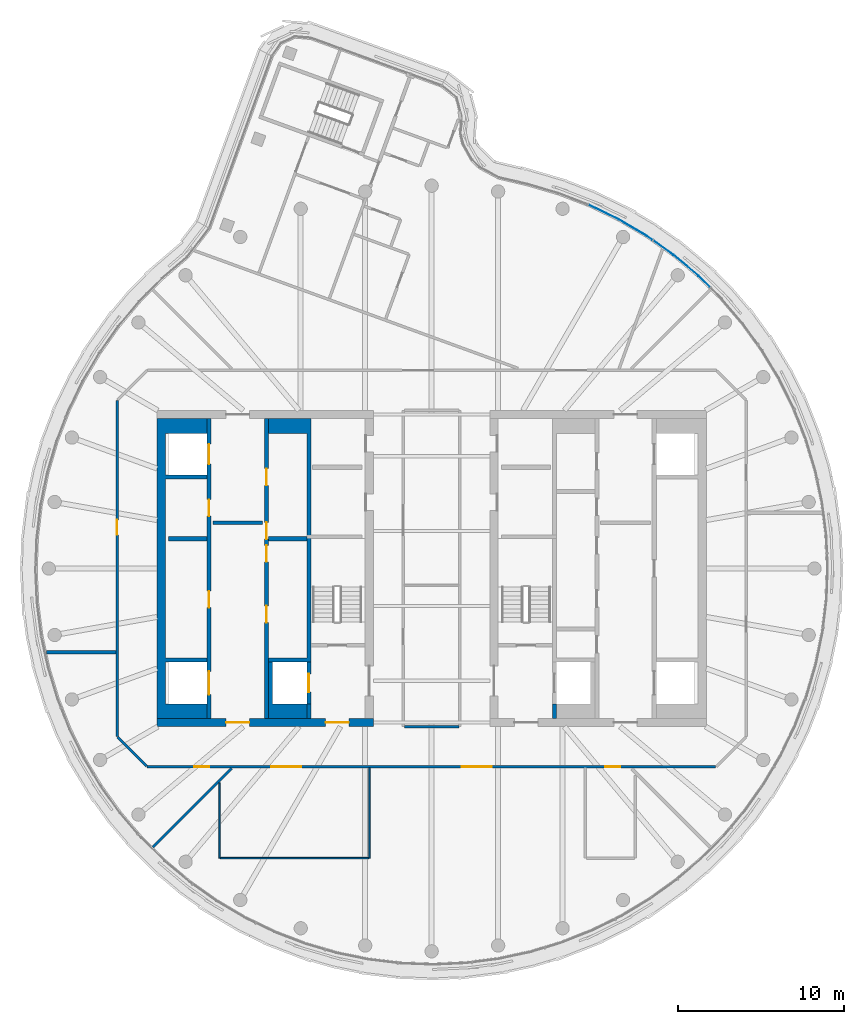
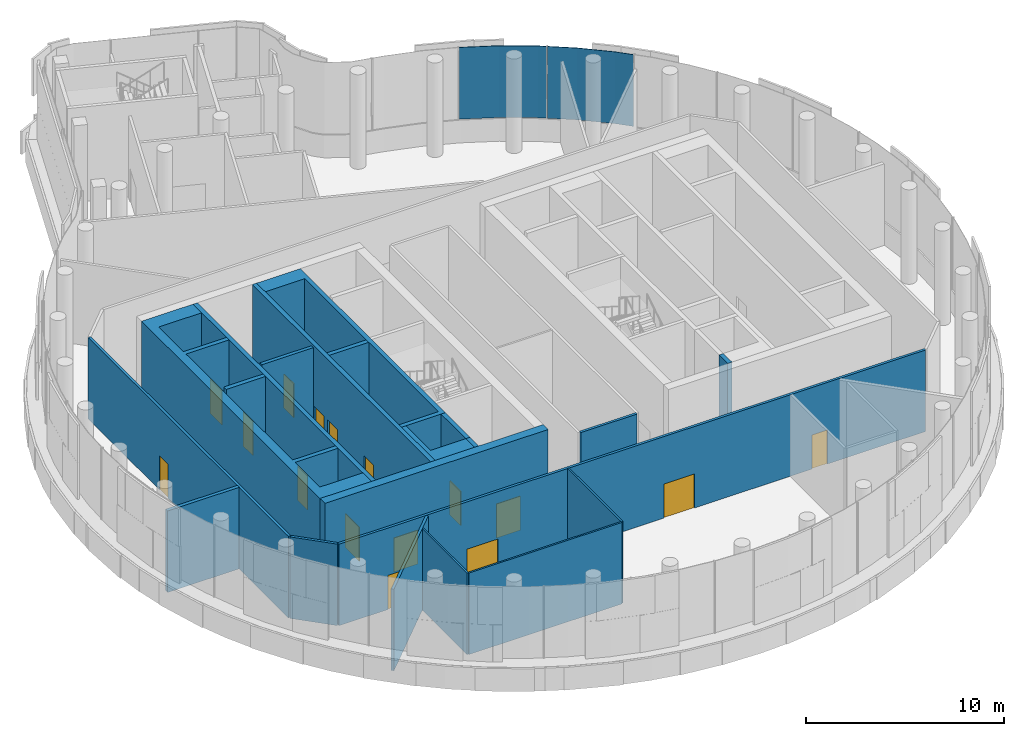
# One storey, part 11 of 18: 21 walls, 16 doors, 2 plates, 16 openings, 1 element without a shape of its own.
"""IFC4 building model written with IfcOpenShell, lengths in metres."""

from ifc_helpers import new_model, si_unit, direction, frame, frame_2d, origin, place, context, subcontext, project, spatial, polyline, rectangle, outline, extrude, material, layer, layer_set, type_object, element, fill, aggregate, save


model = new_model("IFC4")

# Units and contexts
model_context = context("Model", 3, precision=1e-05, world=origin(), true_north=direction((0.0, 1.0)))
body_context = subcontext(model_context, "Body", "Model", "MODEL_VIEW")
ifc_project = project(units=[si_unit("LENGTHUNIT", "METRE"), si_unit("AREAUNIT", "SQUARE_METRE"), si_unit("VOLUMEUNIT", "CUBIC_METRE"), si_unit("PLANEANGLEUNIT", "RADIAN"), si_unit("MASSUNIT", "GRAM", prefix="KILO")], contexts=[model_context])

# Site, building, storey
site_placement = place(None, origin())
site = spatial("IfcSite", under=ifc_project, at=site_placement, CompositionType="ELEMENT")
building_placement = place(site_placement, origin())
building = spatial("IfcBuilding", under=site, at=building_placement, Name="Tamarind Cross Interchange Tower", CompositionType="ELEMENT")
storey_placement = place(building_placement, frame((0.0, 0.0, 299.39990234375)))
storey = spatial("IfcBuildingStorey", under=building, at=storey_placement, Name="L74", CompositionType="ELEMENT", Elevation=299.39990234375)

# Curtain wall, plates
ifc_material_1 = material(Name="Aluminium 6063-T6", Category="aluminium")
ifc_layer_1 = layer(ifc_material_1, 0.14990234375)
ifc_layer_set_1 = layer_set([ifc_layer_1], Name="Aluminium 6063-T6")
curtain_wall_type = type_object("IfcCurtainWallType", Name="Winter garden and crown curtain wall", PredefinedType="NOTDEFINED", material=ifc_layer_set_1)
curtain_wall_placement = place(storey_placement, origin())
curtain_wall = element("IfcCurtainWall", 1, at=curtain_wall_placement, inside=storey, type_object=curtain_wall_type, Name="CWS-L74-02", PredefinedType="NOTDEFINED")
ifc_material_2 = material(Name="Laminated low-e glass 8+1.52+8", Category="glass")
ifc_layer_2 = layer(ifc_material_2, 0.030029296875)
ifc_layer_set_2 = layer_set([ifc_layer_2], Name="Laminated low-e glass 8+1.52+8")
plate_type = type_object("IfcPlateType", Name="Vision panel CW6", PredefinedType="CURTAIN_PANEL", material=ifc_layer_set_2)
plate_1_placement = place(storey_placement, frame((0.0, 0.0, 1.400146484375)))
plate_1 = element("IfcPlate", 2, at=plate_1_placement, type_object=plate_type, Name="CWP-L74-02-26", PredefinedType="CURTAIN_PANEL", context=body_context, shape_type="SweptSolid", body=[
    extrude(outline(polyline([(16.71044921875, 16.8916015625), (16.03076171875, 17.565185546875), (14.525634765625, 18.8291015625), (13.3154296875, 19.685302734375), (13.332763671875, 19.709716796875), (14.5439453125, 18.852783203125), (16.051025390625, 17.58740234375), (16.7314453125, 16.912841796875), (16.71044921875, 16.8916015625)])), origin(), (0.0, 0.0, 1.0), 4.419921875),
])
plate_2_placement = place(storey_placement, frame((0.0, 0.0, 1.400146484375)))
plate_2 = element("IfcPlate", 3, at=plate_2_placement, type_object=plate_type, Name="CWP-L74-02-27", PredefinedType="CURTAIN_PANEL", context=body_context, shape_type="SweptSolid", body=[
    extrude(outline(polyline([(13.2666015625, 19.7197265625), (12.921142578125, 19.96435546875), (11.228271484375, 20.963134765625), (9.458740234375, 21.818603515625), (9.413330078125, 21.836181640625), (9.424072265625, 21.8642578125), (9.470703125, 21.84619140625), (11.242431640625, 20.989501953125), (12.937255859375, 19.989501953125), (13.283935546875, 19.744384765625), (13.2666015625, 19.7197265625)])), origin(), (0.0, 0.0, 1.0), 4.419921875),
])
aggregate(curtain_wall, [plate_1, plate_2])

# Wall, openings, doors
ifc_material_3 = material(Name="Concrete C50", Category="concrete")
ifc_layer_3 = layer(ifc_material_3, 0.5)
ifc_layer_set_3 = layer_set([ifc_layer_3], Name="Concrete C50")
wall_type_1 = type_object("IfcWallType", Name="Core wall 500 mm Concrete C50", PredefinedType="SHEAR", material=ifc_layer_set_3)
wall_1_placement = place(storey_placement, frame((-16.5, -9.25, 0.0), z_axis=(0.0, 0.0, 1.0), x_axis=(1.0, 0.0, 0.0)))
wall_1 = element("IfcWall", 4, at=wall_1_placement, inside=storey, type_object=wall_type_1, Name="Core wall CWL-L74-W-S", PredefinedType="SHEAR", context=body_context, shape_type="SweptSolid", body=[
    extrude(rectangle(XDim=13.0, YDim=0.5, at=frame_2d((6.5, 0.0))), origin(), (0.0, 0.0, 1.0), 5.820068359375),
])
opening_1_placement = place(wall_1_placement, frame((4.14990234375, 0.0, 0.0)))
opening_1 = element("IfcOpeningElement", 5, at=opening_1_placement, cuts=wall_1, Name="Opening DCW1", PredefinedType="OPENING", context=body_context, shape_type="SweptSolid", body=[
    extrude(rectangle(XDim=1.39990234375, YDim=2.10009765625, at=frame_2d((0.699951171875, 1.050048828125))), frame((0.0, 0.260009765625, 0.0), z_axis=(0.0, -1.0, 0.0), x_axis=(1.0, 0.0, 0.0)), (0.0, 0.0, 1.0), 0.52001953125),
])
opening_2_placement = place(wall_1_placement, frame((10.125, 0.0, 0.0)))
opening_2 = element("IfcOpeningElement", 6, at=opening_2_placement, cuts=wall_1, Name="Opening DCWF", PredefinedType="OPENING", context=body_context, shape_type="SweptSolid", body=[
    extrude(rectangle(XDim=1.39990234375, YDim=2.10009765625, at=frame_2d((0.699951171875, 1.050048828125))), frame((0.0, 0.260009765625, 0.0), z_axis=(0.0, -1.0, 0.0), x_axis=(1.0, 0.0, 0.0)), (0.0, 0.0, 1.0), 0.52001953125),
])
ifc_material_4 = material(Name="Steel, fire-resisting", Category="steel")
door_type_1 = type_object("IfcDoorType", Name="Core fire door 1400 x 2100 FD90", OperationType="SINGLE_SWING_LEFT", PredefinedType="DOOR", material=ifc_material_4)
door_1_placement = place(opening_1_placement, origin())
door_1 = element("IfcDoor", 7, at=door_1_placement, inside=storey, type_object=door_type_1, Name="L74 lift lobby door", OperationType="SINGLE_SWING_LEFT", OverallHeight=2.10009765625, OverallWidth=1.39990234375, PredefinedType="DOOR", context=body_context, shape_type="SweptSolid", body=[
    extrude(rectangle(XDim=1.39990234375, YDim=2.10009765625, at=frame_2d((0.699951171875, 1.050048828125))), frame((0.0, 0.02490234375, 0.0), z_axis=(0.0, -1.0, 0.0), x_axis=(1.0, 0.0, 0.0)), (0.0, 0.0, 1.0), 0.050048828125),
])
fill(opening_1, door_1)
door_2_placement = place(opening_2_placement, origin())
door_2 = element("IfcDoor", 8, at=door_2_placement, inside=storey, type_object=door_type_1, Name="L74 firefighting lobby end door", OperationType="SINGLE_SWING_LEFT", OverallHeight=2.10009765625, OverallWidth=1.39990234375, PredefinedType="DOOR", context=body_context, shape_type="SweptSolid", body=[
    extrude(rectangle(XDim=1.39990234375, YDim=2.10009765625, at=frame_2d((0.699951171875, 1.050048828125))), frame((0.0, 0.02490234375, 0.0), z_axis=(0.0, -1.0, 0.0), x_axis=(1.0, 0.0, 0.0)), (0.0, 0.0, 1.0), 0.050048828125),
])
fill(opening_2, door_2)

# Walls
wall_2_placement = place(storey_placement, origin())
element("IfcWall", 9, at=wall_2_placement, inside=storey, type_object=wall_type_1, Name="Core wall CWL-L74-W-A", PredefinedType="SHEAR", context=body_context, shape_type="SweptSolid", body=[
    extrude(outline(polyline([(-13.5, -8.125), (-16.0, -8.125), (-16.0, -5.625), (-13.5, -5.625), (-13.5, -5.375), (-16.0, -5.375), (-16.0, 5.375), (-13.5, 5.375), (-13.5, 5.625), (-16.0, 5.625), (-16.0, 8.125), (-13.5, 8.125), (-13.5, 9.0), (-16.0, 9.0), (-16.5, 9.0), (-16.5, -9.0), (-16.0, -9.0), (-13.5, -9.0), (-13.5, -8.125)])), origin(), (0.0, 0.0, 1.0), 5.820068359375),
])
ifc_layer_4 = layer(ifc_material_3, 0.25)
ifc_layer_set_4 = layer_set([ifc_layer_4], Name="Concrete C50")
wall_type_2 = type_object("IfcWallType", Name="Core web wall 250 mm Concrete C50", PredefinedType="SHEAR", material=ifc_layer_set_4)
wall_3_placement = place(storey_placement, origin())
element("IfcWall", 10, at=wall_3_placement, inside=storey, type_object=wall_type_2, Name="Core wall CWL-L74-W-BN", PredefinedType="SHEAR", context=body_context, shape_type="SweptSolid", body=[
    extrude(outline(polyline([(-9.800048828125, -5.625), (-7.5, -5.625), (-7.25, -5.625), (-7.25, 9.0), (-7.5, 9.0), (-9.800048828125, 9.0), (-9.800048828125, 8.125), (-7.5, 8.125), (-7.5, -5.375), (-9.800048828125, -5.375), (-9.800048828125, -5.625)])), origin(), (0.0, 0.0, 1.0), 5.820068359375),
])
wall_4_placement = place(storey_placement, origin())
element("IfcWall", 11, at=wall_4_placement, inside=storey, type_object=wall_type_2, Name="Core wall CWL-L74-W-BS", PredefinedType="SHEAR", context=body_context, shape_type="SweptSolid", body=[
    extrude(outline(polyline([(-7.5, -8.125), (-9.550048828125, -8.125), (-9.550048828125, -5.625), (-9.800048828125, -5.625), (-9.800048828125, -8.125), (-9.800048828125, -9.0), (-7.5, -9.0), (-7.5, -8.125)])), origin(), (0.0, 0.0, 1.0), 5.820068359375),
])
wall_5_placement = place(storey_placement, frame((-7.375, -9.0, 0.0), z_axis=(0.0, 0.0, 1.0), x_axis=(0.0, 1.0, 0.0)))
element("IfcWall", 12, at=wall_5_placement, inside=storey, type_object=wall_type_2, Name="Core wall CWL-L74-W-BW", PredefinedType="SHEAR", context=body_context, shape_type="SweptSolid", body=[
    extrude(rectangle(XDim=0.875, YDim=0.25, at=frame_2d((0.4375, 0.0))), origin(), (0.0, 0.0, 1.0), 5.820068359375),
])

# Wall, openings, doors
wall_6_placement = place(storey_placement, frame((-13.375, -9.0, 0.0), z_axis=(0.0, 0.0, 1.0), x_axis=(0.0, 1.0, 0.0)))
wall_6 = element("IfcWall", 13, at=wall_6_placement, inside=storey, type_object=wall_type_2, Name="Core wall CWL-L74-W-LA", PredefinedType="SHEAR", context=body_context, shape_type="SweptSolid", body=[
    extrude(rectangle(XDim=18.0, YDim=0.25, at=frame_2d((9.0, 0.0))), origin(), (0.0, 0.0, 1.0), 5.820068359375),
])
opening_3_placement = place(wall_6_placement, frame((1.425048828125, 0.0, 0.0)))
opening_3 = element("IfcOpeningElement", 14, at=opening_3_placement, cuts=wall_6, Name="Opening LD1L74", PredefinedType="OPENING", context=body_context, shape_type="SweptSolid", body=[
    extrude(rectangle(XDim=1.39990234375, YDim=2.10009765625, at=frame_2d((0.699951171875, 1.050048828125))), frame((0.0, 0.135009765625, 0.0), z_axis=(0.0, -1.0, 0.0), x_axis=(1.0, 0.0, 0.0)), (0.0, 0.0, 1.0), 0.27001953125),
])
opening_4_placement = place(wall_6_placement, frame((15.27490234375, 0.0, 0.0)))
opening_4 = element("IfcOpeningElement", 15, at=opening_4_placement, cuts=wall_6, Name="Opening LD6L74", PredefinedType="OPENING", context=body_context, shape_type="SweptSolid", body=[
    extrude(rectangle(XDim=1.199951171875, YDim=2.10009765625, at=frame_2d((0.60009765625, 1.050048828125))), frame((0.0, 0.135009765625, 0.0), z_axis=(0.0, -1.0, 0.0), x_axis=(1.0, 0.0, 0.0)), (0.0, 0.0, 1.0), 0.27001953125),
])
opening_5_placement = place(wall_6_placement, frame((6.64599609375, 0.0, 0.0)))
opening_5 = element("IfcOpeningElement", 16, at=opening_5_placement, cuts=wall_6, Name="Opening DCW9", PredefinedType="OPENING", context=body_context, shape_type="SweptSolid", body=[
    extrude(rectangle(XDim=1.0, YDim=2.10009765625, at=frame_2d((0.5, 1.050048828125))), frame((0.0, 0.135009765625, 0.0), z_axis=(0.0, -1.0, 0.0), x_axis=(1.0, 0.0, 0.0)), (0.0, 0.0, 1.0), 0.27001953125),
])
opening_6_placement = place(wall_6_placement, frame((12.14599609375, 0.0, 0.0)))
opening_6 = element("IfcOpeningElement", 17, at=opening_6_placement, cuts=wall_6, Name="Opening DCW10", PredefinedType="OPENING", context=body_context, shape_type="SweptSolid", body=[
    extrude(rectangle(XDim=1.0, YDim=2.10009765625, at=frame_2d((0.5, 1.050048828125))), frame((0.0, 0.135009765625, 0.0), z_axis=(0.0, -1.0, 0.0), x_axis=(1.0, 0.0, 0.0)), (0.0, 0.0, 1.0), 0.27001953125),
])
door_type_2 = type_object("IfcDoorType", Name="Core fire door 1000 x 2100 FD90", OperationType="SINGLE_SWING_LEFT", PredefinedType="DOOR", material=ifc_material_4)
door_3_placement = place(opening_5_placement, origin())
door_3 = element("IfcDoor", 18, at=door_3_placement, inside=storey, type_object=door_type_2, Name="L74 Cleaner's store door", OperationType="SINGLE_SWING_LEFT", OverallHeight=2.10009765625, OverallWidth=1.0, PredefinedType="DOOR", context=body_context, shape_type="SweptSolid", body=[
    extrude(rectangle(XDim=1.0, YDim=2.10009765625, at=frame_2d((0.5, 1.050048828125))), frame((0.0, 0.02490234375, 0.0), z_axis=(0.0, -1.0, 0.0), x_axis=(1.0, 0.0, 0.0)), (0.0, 0.0, 1.0), 0.050048828125),
])
fill(opening_5, door_3)
door_4_placement = place(opening_6_placement, origin())
door_4 = element("IfcDoor", 19, at=door_4_placement, inside=storey, type_object=door_type_2, Name="L74 Guide's room door", OperationType="SINGLE_SWING_LEFT", OverallHeight=2.10009765625, OverallWidth=1.0, PredefinedType="DOOR", context=body_context, shape_type="SweptSolid", body=[
    extrude(rectangle(XDim=1.0, YDim=2.10009765625, at=frame_2d((0.5, 1.050048828125))), frame((0.0, 0.02490234375, 0.0), z_axis=(0.0, -1.0, 0.0), x_axis=(1.0, 0.0, 0.0)), (0.0, 0.0, 1.0), 0.050048828125),
])
fill(opening_6, door_4)
ifc_material_5 = material(Name="Stainless steel panel", Category="steel")
door_type_3 = type_object("IfcDoorType", Name="Lift landing door 1200 x 2100 E 120", OperationType="SLIDING_TO_LEFT", PredefinedType="DOOR", material=ifc_material_5)
door_5_placement = place(opening_4_placement, origin())
door_5 = element("IfcDoor", 20, at=door_5_placement, inside=storey, type_object=door_type_3, Name="L74 landing door LF6", OperationType="SLIDING_TO_LEFT", OverallHeight=2.10009765625, OverallWidth=1.199951171875, PredefinedType="DOOR", context=body_context, shape_type="SweptSolid", body=[
    extrude(rectangle(XDim=1.199951171875, YDim=2.10009765625, at=frame_2d((0.60009765625, 1.050048828125))), frame((0.0, 0.02490234375, 0.0), z_axis=(0.0, -1.0, 0.0), x_axis=(1.0, 0.0, 0.0)), (0.0, 0.0, 1.0), 0.050048828125),
])
fill(opening_4, door_5)
door_type_4 = type_object("IfcDoorType", Name="Lift landing door 1400 x 2100 E 120", OperationType="SLIDING_TO_LEFT", PredefinedType="DOOR", material=ifc_material_5)
door_6_placement = place(opening_3_placement, origin())
door_6 = element("IfcDoor", 21, at=door_6_placement, inside=storey, type_object=door_type_4, Name="L74 landing door LF1", OperationType="SLIDING_TO_LEFT", OverallHeight=2.10009765625, OverallWidth=1.39990234375, PredefinedType="DOOR", context=body_context, shape_type="SweptSolid", body=[
    extrude(rectangle(XDim=1.39990234375, YDim=2.10009765625, at=frame_2d((0.699951171875, 1.050048828125))), frame((0.0, 0.02490234375, 0.0), z_axis=(0.0, -1.0, 0.0), x_axis=(1.0, 0.0, 0.0)), (0.0, 0.0, 1.0), 0.050048828125),
])
fill(opening_3, door_6)

wall_7_placement = place(storey_placement, frame((-9.925048828125, -9.0, 0.0), z_axis=(0.0, 0.0, 1.0), x_axis=(0.0, 1.0, 0.0)))
wall_7 = element("IfcWall", 22, at=wall_7_placement, inside=storey, type_object=wall_type_2, Name="Core wall CWL-L74-W-LB", PredefinedType="SHEAR", context=body_context, shape_type="SweptSolid", body=[
    extrude(rectangle(XDim=18.0, YDim=0.25, at=frame_2d((9.0, 0.0))), origin(), (0.0, 0.0, 1.0), 5.820068359375),
])
opening_7_placement = place(wall_7_placement, frame((5.75, 0.0, 0.0)))
opening_7 = element("IfcOpeningElement", 23, at=opening_7_placement, cuts=wall_7, Name="Opening DCW21", PredefinedType="OPENING", context=body_context, shape_type="SweptSolid", body=[
    extrude(rectangle(XDim=1.0, YDim=2.10009765625, at=frame_2d((0.5, 1.050048828125))), frame((0.0, 0.135009765625, 0.0), z_axis=(0.0, -1.0, 0.0), x_axis=(1.0, 0.0, 0.0)), (0.0, 0.0, 1.0), 0.27001953125),
])
opening_8_placement = place(wall_7_placement, frame((9.39599609375, 0.0, 0.0)))
opening_8 = element("IfcOpeningElement", 24, at=opening_8_placement, cuts=wall_7, Name="Opening DCW21", PredefinedType="OPENING", context=body_context, shape_type="SweptSolid", body=[
    extrude(rectangle(XDim=1.0, YDim=2.10009765625, at=frame_2d((0.5, 1.050048828125))), frame((0.0, 0.135009765625, 0.0), z_axis=(0.0, -1.0, 0.0), x_axis=(1.0, 0.0, 0.0)), (0.0, 0.0, 1.0), 0.27001953125),
])
opening_9_placement = place(wall_7_placement, frame((10.77099609375, 0.0, 0.0)))
opening_9 = element("IfcOpeningElement", 25, at=opening_9_placement, cuts=wall_7, Name="Opening DCW22", PredefinedType="OPENING", context=body_context, shape_type="SweptSolid", body=[
    extrude(rectangle(XDim=1.0, YDim=2.10009765625, at=frame_2d((0.5, 1.050048828125))), frame((0.0, 0.135009765625, 0.0), z_axis=(0.0, -1.0, 0.0), x_axis=(1.0, 0.0, 0.0)), (0.0, 0.0, 1.0), 0.27001953125),
])
opening_10_placement = place(wall_7_placement, frame((14.0, 0.0, 0.0)))
opening_10 = element("IfcOpeningElement", 26, at=opening_10_placement, cuts=wall_7, Name="Opening DCW21", PredefinedType="OPENING", context=body_context, shape_type="SweptSolid", body=[
    extrude(rectangle(XDim=1.0, YDim=2.10009765625, at=frame_2d((0.5, 1.050048828125))), frame((0.0, 0.135009765625, 0.0), z_axis=(0.0, -1.0, 0.0), x_axis=(1.0, 0.0, 0.0)), (0.0, 0.0, 1.0), 0.27001953125),
])
door_7_placement = place(opening_7_placement, origin())
door_7 = element("IfcDoor", 27, at=door_7_placement, inside=storey, type_object=door_type_2, Name="L74 Guide's room door", OperationType="SINGLE_SWING_LEFT", OverallHeight=2.10009765625, OverallWidth=1.0, PredefinedType="DOOR", context=body_context, shape_type="SweptSolid", body=[
    extrude(rectangle(XDim=1.0, YDim=2.10009765625, at=frame_2d((0.5, 1.050048828125))), frame((0.0, 0.02490234375, 0.0), z_axis=(0.0, -1.0, 0.0), x_axis=(1.0, 0.0, 0.0)), (0.0, 0.0, 1.0), 0.050048828125),
])
fill(opening_7, door_7)
door_8_placement = place(opening_8_placement, origin())
door_8 = element("IfcDoor", 28, at=door_8_placement, inside=storey, type_object=door_type_2, Name="L74 Catering store door", OperationType="SINGLE_SWING_LEFT", OverallHeight=2.10009765625, OverallWidth=1.0, PredefinedType="DOOR", context=body_context, shape_type="SweptSolid", body=[
    extrude(rectangle(XDim=1.0, YDim=2.10009765625, at=frame_2d((0.5, 1.050048828125))), frame((0.0, 0.02490234375, 0.0), z_axis=(0.0, -1.0, 0.0), x_axis=(1.0, 0.0, 0.0)), (0.0, 0.0, 1.0), 0.050048828125),
])
fill(opening_8, door_8)
door_9_placement = place(opening_9_placement, origin())
door_9 = element("IfcDoor", 29, at=door_9_placement, inside=storey, type_object=door_type_2, Name="L74 Cleaner's store door", OperationType="SINGLE_SWING_LEFT", OverallHeight=2.10009765625, OverallWidth=1.0, PredefinedType="DOOR", context=body_context, shape_type="SweptSolid", body=[
    extrude(rectangle(XDim=1.0, YDim=2.10009765625, at=frame_2d((0.5, 1.050048828125))), frame((0.0, 0.02490234375, 0.0), z_axis=(0.0, -1.0, 0.0), x_axis=(1.0, 0.0, 0.0)), (0.0, 0.0, 1.0), 0.050048828125),
])
fill(opening_9, door_9)
door_10_placement = place(opening_10_placement, origin())
door_10 = element("IfcDoor", 30, at=door_10_placement, inside=storey, type_object=door_type_2, Name="L74 First aid room door", OperationType="SINGLE_SWING_LEFT", OverallHeight=2.10009765625, OverallWidth=1.0, PredefinedType="DOOR", context=body_context, shape_type="SweptSolid", body=[
    extrude(rectangle(XDim=1.0, YDim=2.10009765625, at=frame_2d((0.5, 1.050048828125))), frame((0.0, 0.02490234375, 0.0), z_axis=(0.0, -1.0, 0.0), x_axis=(1.0, 0.0, 0.0)), (0.0, 0.0, 1.0), 0.050048828125),
])
fill(opening_10, door_10)

# Wall, opening, door
wall_8_placement = place(storey_placement, frame((-7.375, -8.125, 0.0), z_axis=(0.0, 0.0, 1.0), x_axis=(0.0, 1.0, 0.0)))
wall_8 = element("IfcWall", 31, at=wall_8_placement, inside=storey, type_object=wall_type_2, Name="Core wall CWL-L74-W-FF", PredefinedType="SHEAR", context=body_context, shape_type="SweptSolid", body=[
    extrude(rectangle(XDim=2.5, YDim=0.25, at=frame_2d((1.25, 0.0))), origin(), (0.0, 0.0, 1.0), 5.820068359375),
])
opening_11_placement = place(wall_8_placement, frame((0.699951171875, 0.0, 0.0)))
opening_11 = element("IfcOpeningElement", 32, at=opening_11_placement, cuts=wall_8, Name="Opening LD7L74", PredefinedType="OPENING", context=body_context, shape_type="SweptSolid", body=[
    extrude(rectangle(XDim=1.10009765625, YDim=2.10009765625, at=frame_2d((0.550048828125, 1.050048828125))), frame((0.0, 0.135009765625, 0.0), z_axis=(0.0, -1.0, 0.0), x_axis=(1.0, 0.0, 0.0)), (0.0, 0.0, 1.0), 0.27001953125),
])
door_type_5 = type_object("IfcDoorType", Name="Lift landing door 1100 x 2100 E 120", OperationType="SLIDING_TO_LEFT", PredefinedType="DOOR", material=ifc_material_5)
door_11_placement = place(opening_11_placement, origin())
door_11 = element("IfcDoor", 33, at=door_11_placement, inside=storey, type_object=door_type_5, Name="L74 landing door LF7", OperationType="SLIDING_TO_LEFT", OverallHeight=2.10009765625, OverallWidth=1.10009765625, PredefinedType="DOOR", context=body_context, shape_type="SweptSolid", body=[
    extrude(rectangle(XDim=1.10009765625, YDim=2.10009765625, at=frame_2d((0.550048828125, 1.050048828125))), frame((0.0, 0.02490234375, 0.0), z_axis=(0.0, -1.0, 0.0), x_axis=(1.0, 0.0, 0.0)), (0.0, 0.0, 1.0), 0.050048828125),
])
fill(opening_11, door_11)

# Walls
wall_9_placement = place(storey_placement, frame((7.375, -9.0, 0.0), z_axis=(0.0, 0.0, 1.0), x_axis=(0.0, 1.0, 0.0)))
element("IfcWall", 34, at=wall_9_placement, inside=storey, type_object=wall_type_2, Name="Core wall CWL-L74-E-BW", PredefinedType="SHEAR", context=body_context, shape_type="SweptSolid", body=[
    extrude(rectangle(XDim=0.875, YDim=0.25, at=frame_2d((0.4375, 0.0))), origin(), (0.0, 0.0, 1.0), 5.820068359375),
])
ifc_material_6 = material(Name="Gypsum board partition on steel studs", Category="steel")
ifc_layer_5 = layer(ifc_material_6, 0.10009765625)
ifc_layer_set_5 = layer_set([ifc_layer_5], Name="Gypsum board partition on steel studs")
wall_type_3 = type_object("IfcWallType", Name="Partition 100 mm EI 90", PredefinedType="PARTITIONING", material=ifc_layer_set_5)
wall_10_placement = place(storey_placement, frame((-12.7060546875, -17.39990234375, 0.0), z_axis=(0.0, 0.0, 1.0), x_axis=(1.0, 0.0, 0.0)))
element("IfcWall", 35, at=wall_10_placement, inside=storey, type_object=wall_type_3, Name="Partition L74-015", PredefinedType="PARTITIONING", context=body_context, shape_type="SweptSolid", body=[
    extrude(rectangle(XDim=8.93017578125, YDim=0.10009765625, at=frame_2d((4.465087890625, 0.0))), origin(), (0.0, 0.0, 1.0), 5.02001953125),
])
wall_11_placement = place(storey_placement, frame((-12.740966796875, -17.39990234375, 0.0), z_axis=(0.0, 0.0, 1.0), x_axis=(0.0, 1.0, 0.0)))
element("IfcWall", 36, at=wall_11_placement, inside=storey, type_object=wall_type_3, Name="Partition L74-035", PredefinedType="PARTITIONING", context=body_context, shape_type="SweptSolid", body=[
    extrude(rectangle(XDim=4.518798828125, YDim=0.10009765625, at=frame_2d((2.25927734375, 0.0))), origin(), (0.0, 0.0, 1.0), 5.02001953125),
])
wall_12_placement = place(storey_placement, frame((-3.740966796875, -17.39990234375, 0.0), z_axis=(0.0, 0.0, 1.0), x_axis=(0.0, 1.0, 0.0)))
element("IfcWall", 37, at=wall_12_placement, inside=storey, type_object=wall_type_3, Name="Partition L74-036", PredefinedType="PARTITIONING", context=body_context, shape_type="SweptSolid", body=[
    extrude(rectangle(XDim=5.44482421875, YDim=0.10009765625, at=frame_2d((2.722412109375, 0.0))), origin(), (0.0, 0.0, 1.0), 5.02001953125),
])
ifc_layer_6 = layer(ifc_material_6, 0.14990234375)
ifc_layer_set_6 = layer_set([ifc_layer_6], Name="Gypsum board partition on steel studs")
wall_type_4 = type_object("IfcWallType", Name="Partition 150 mm EI 120", PredefinedType="PARTITIONING", material=ifc_layer_set_6)
wall_13_placement = place(storey_placement, frame((-18.87158203125, -10.12841796875, 0.0), z_axis=(0.0, 0.0, 1.0), x_axis=(0.707106781187, -0.707106781187, 0.0)))
element("IfcWall", 38, at=wall_13_placement, inside=storey, type_object=wall_type_4, Name="Partition L74-001", PredefinedType="PARTITIONING", context=body_context, shape_type="SweptSolid", body=[
    extrude(rectangle(XDim=2.465087890625, YDim=0.14990234375, at=frame_2d((1.232421875, 0.0))), origin(), (0.0, 0.0, 1.0), 5.02001953125),
])

# Wall, openings, doors
wall_14_placement = place(storey_placement, frame((-17.10009765625, -11.89990234375, 0.0), z_axis=(0.0, 0.0, 1.0), x_axis=(1.0, 0.0, 0.0)))
wall_14 = element("IfcWall", 39, at=wall_14_placement, inside=storey, type_object=wall_type_4, Name="Partition L74-013", PredefinedType="PARTITIONING", context=body_context, shape_type="SweptSolid", body=[
    extrude(rectangle(XDim=34.1650390625, YDim=0.14990234375, at=frame_2d((17.08251953125, 0.0))), origin(), (0.0, 0.0, 1.0), 5.02001953125),
])
opening_12_placement = place(wall_14_placement, frame((7.449951171875, 0.0, 0.0)))
opening_12 = element("IfcOpeningElement", 40, at=opening_12_placement, cuts=wall_14, Name="Opening D04", PredefinedType="OPENING", context=body_context, shape_type="SweptSolid", body=[
    extrude(rectangle(XDim=1.800048828125, YDim=2.10009765625, at=frame_2d((0.89990234375, 1.050048828125))), frame((0.0, 0.0849609375, 0.0), z_axis=(0.0, -1.0, 0.0), x_axis=(1.0, 0.0, 0.0)), (0.0, 0.0, 1.0), 0.169921875),
])
opening_13_placement = place(wall_14_placement, frame((27.541015625, 0.0, 0.0)))
opening_13 = element("IfcOpeningElement", 41, at=opening_13_placement, cuts=wall_14, Name="Opening D05", PredefinedType="OPENING", context=body_context, shape_type="SweptSolid", body=[
    extrude(rectangle(XDim=0.89990234375, YDim=2.10009765625, at=frame_2d((0.449951171875, 1.050048828125))), frame((0.0, 0.0849609375, 0.0), z_axis=(0.0, -1.0, 0.0), x_axis=(1.0, 0.0, 0.0)), (0.0, 0.0, 1.0), 0.169921875),
])
opening_14_placement = place(wall_14_placement, frame((18.908935546875, 0.0, 0.0)))
opening_14 = element("IfcOpeningElement", 42, at=opening_14_placement, cuts=wall_14, Name="Opening D06", PredefinedType="OPENING", context=body_context, shape_type="SweptSolid", body=[
    extrude(rectangle(XDim=1.800048828125, YDim=2.10009765625, at=frame_2d((0.89990234375, 1.050048828125))), frame((0.0, 0.0849609375, 0.0), z_axis=(0.0, -1.0, 0.0), x_axis=(1.0, 0.0, 0.0)), (0.0, 0.0, 1.0), 0.169921875),
])
opening_15_placement = place(wall_14_placement, frame((2.85009765625, 0.0, 0.0)))
opening_15 = element("IfcOpeningElement", 43, at=opening_15_placement, cuts=wall_14, Name="Opening D07", PredefinedType="OPENING", context=body_context, shape_type="SweptSolid", body=[
    extrude(rectangle(XDim=0.89990234375, YDim=2.10009765625, at=frame_2d((0.449951171875, 1.050048828125))), frame((0.0, 0.0849609375, 0.0), z_axis=(0.0, -1.0, 0.0), x_axis=(1.0, 0.0, 0.0)), (0.0, 0.0, 1.0), 0.169921875),
])
ifc_material_7 = material(Name="Fire-resisting door set")
door_type_6 = type_object("IfcDoorType", Name="Interior door 1800 x 2100 FD60S", OperationType="DOUBLE_DOOR_SINGLE_SWING", PredefinedType="DOOR", material=ifc_material_7)
door_12_placement = place(opening_12_placement, frame((1.800048828125, 0.0, 0.0), z_axis=(0.0, 0.0, 1.0), x_axis=(-1.0, 0.0, 0.0)))
door_12 = element("IfcDoor", 44, at=door_12_placement, inside=storey, type_object=door_type_6, Name="Door D04", OperationType="DOUBLE_DOOR_SINGLE_SWING", OverallHeight=2.10009765625, OverallWidth=1.800048828125, PredefinedType="DOOR", context=body_context, shape_type="SweptSolid", body=[
    extrude(rectangle(XDim=1.800048828125, YDim=2.10009765625, at=frame_2d((0.89990234375, 1.050048828125))), frame((0.0, 0.02490234375, 0.0), z_axis=(0.0, -1.0, 0.0), x_axis=(1.0, 0.0, 0.0)), (0.0, 0.0, 1.0), 0.050048828125),
])
fill(opening_12, door_12)
door_13_placement = place(opening_14_placement, origin())
door_13 = element("IfcDoor", 45, at=door_13_placement, inside=storey, type_object=door_type_6, Name="Door D06", OperationType="DOUBLE_DOOR_SINGLE_SWING", OverallHeight=2.10009765625, OverallWidth=1.800048828125, PredefinedType="DOOR", context=body_context, shape_type="SweptSolid", body=[
    extrude(rectangle(XDim=1.800048828125, YDim=2.10009765625, at=frame_2d((0.89990234375, 1.050048828125))), frame((0.0, 0.02490234375, 0.0), z_axis=(0.0, -1.0, 0.0), x_axis=(1.0, 0.0, 0.0)), (0.0, 0.0, 1.0), 0.050048828125),
])
fill(opening_14, door_13)
door_type_7 = type_object("IfcDoorType", Name="Interior door 900 x 2100 FD60S", OperationType="SINGLE_SWING_LEFT", PredefinedType="DOOR", material=ifc_material_7)
door_14_placement = place(opening_13_placement, frame((0.89990234375, 0.0, 0.0), z_axis=(0.0, 0.0, 1.0), x_axis=(-1.0, 0.0, 0.0)))
door_14 = element("IfcDoor", 46, at=door_14_placement, inside=storey, type_object=door_type_7, Name="Door D05", OperationType="SINGLE_SWING_RIGHT", OverallHeight=2.10009765625, OverallWidth=0.89990234375, PredefinedType="DOOR", context=body_context, shape_type="SweptSolid", body=[
    extrude(rectangle(XDim=0.89990234375, YDim=2.10009765625, at=frame_2d((0.449951171875, 1.050048828125))), frame((0.0, 0.02490234375, 0.0), z_axis=(0.0, -1.0, 0.0), x_axis=(1.0, 0.0, 0.0)), (0.0, 0.0, 1.0), 0.050048828125),
])
fill(opening_13, door_14)
door_15_placement = place(opening_15_placement, frame((0.89990234375, 0.0, 0.0), z_axis=(0.0, 0.0, 1.0), x_axis=(-1.0, 0.0, 0.0)))
door_15 = element("IfcDoor", 47, at=door_15_placement, inside=storey, type_object=door_type_7, Name="Door D07", OperationType="SINGLE_SWING_LEFT", OverallHeight=2.10009765625, OverallWidth=0.89990234375, PredefinedType="DOOR", context=body_context, shape_type="SweptSolid", body=[
    extrude(rectangle(XDim=0.89990234375, YDim=2.10009765625, at=frame_2d((0.449951171875, 1.050048828125))), frame((0.0, 0.02490234375, 0.0), z_axis=(0.0, -1.0, 0.0), x_axis=(1.0, 0.0, 0.0)), (0.0, 0.0, 1.0), 0.050048828125),
])
fill(opening_15, door_15)

# Walls
wall_15_placement = place(storey_placement, frame((-1.639892578125, -9.5, 0.0), z_axis=(0.0, 0.0, 1.0), x_axis=(1.0, 0.0, 0.0)))
element("IfcWall", 48, at=wall_15_placement, inside=storey, type_object=wall_type_4, Name="Partition L74-017", PredefinedType="PARTITIONING", context=body_context, shape_type="SweptSolid", body=[
    extrude(rectangle(XDim=3.27978515625, YDim=0.14990234375, at=frame_2d((1.639892578125, 0.0))), origin(), (0.0, 0.0, 1.0), 5.02001953125),
])
wall_16_placement = place(storey_placement, frame((-16.740478515625, -16.740478515625, 0.0), z_axis=(0.0, 0.0, 1.0), x_axis=(0.707106781187, 0.707106781187, 0.0)))
element("IfcWall", 49, at=wall_16_placement, inside=storey, type_object=wall_type_4, Name="Partition L74-022", PredefinedType="PARTITIONING", context=body_context, shape_type="SweptSolid", body=[
    extrude(rectangle(XDim=6.690673828125, YDim=0.14990234375, at=frame_2d((3.34521484375, 0.0))), origin(), (0.0, 0.0, 1.0), 5.02001953125),
])

# Wall, opening, door
wall_17_placement = place(storey_placement, frame((-18.89990234375, -10.10009765625, 0.0), z_axis=(0.0, 0.0, 1.0), x_axis=(0.0, 1.0, 0.0)))
wall_17 = element("IfcWall", 50, at=wall_17_placement, inside=storey, type_object=wall_type_4, Name="Partition L74-034", PredefinedType="PARTITIONING", context=body_context, shape_type="SweptSolid", body=[
    extrude(rectangle(XDim=20.2001953125, YDim=0.14990234375, at=frame_2d((10.10009765625, 0.0))), origin(), (0.0, 0.0, 1.0), 5.02001953125),
])
opening_16_placement = place(wall_17_placement, frame((12.1279296875, 0.0, 0.0)))
opening_16 = element("IfcOpeningElement", 51, at=opening_16_placement, cuts=wall_17, Name="Opening D15", PredefinedType="OPENING", context=body_context, shape_type="SweptSolid", body=[
    extrude(rectangle(XDim=0.89990234375, YDim=2.10009765625, at=frame_2d((0.449951171875, 1.050048828125))), frame((0.0, 0.0849609375, 0.0), z_axis=(0.0, -1.0, 0.0), x_axis=(1.0, 0.0, 0.0)), (0.0, 0.0, 1.0), 0.169921875),
])
door_16_placement = place(opening_16_placement, origin())
door_16 = element("IfcDoor", 52, at=door_16_placement, inside=storey, type_object=door_type_7, Name="Door D15", OperationType="SINGLE_SWING_LEFT", OverallHeight=2.10009765625, OverallWidth=0.89990234375, PredefinedType="DOOR", context=body_context, shape_type="SweptSolid", body=[
    extrude(rectangle(XDim=0.89990234375, YDim=2.10009765625, at=frame_2d((0.449951171875, 1.050048828125))), frame((0.0, 0.02490234375, 0.0), z_axis=(0.0, -1.0, 0.0), x_axis=(1.0, 0.0, 0.0)), (0.0, 0.0, 1.0), 0.050048828125),
])
fill(opening_16, door_16)

# Walls
ifc_layer_7 = layer(ifc_material_6, 0.199951171875)
ifc_layer_set_7 = layer_set([ifc_layer_7], Name="Gypsum board partition on steel studs")
wall_type_5 = type_object("IfcWallType", Name="Partition 200 mm EI 180", PredefinedType="PARTITIONING", material=ifc_layer_set_7)
wall_18_placement = place(storey_placement, frame((-23.1357421875, -5.02197265625, 0.0), z_axis=(0.0, 0.0, 1.0), x_axis=(1.0, 0.0, 0.0)))
element("IfcWall", 53, at=wall_18_placement, inside=storey, type_object=wall_type_5, Name="Partition L74-012", PredefinedType="PARTITIONING", context=body_context, shape_type="SweptSolid", body=[
    extrude(rectangle(XDim=4.1806640625, YDim=0.199951171875, at=frame_2d((2.09033203125, 0.0))), origin(), (0.0, 0.0, 1.0), 5.02001953125),
])
ifc_material_8 = material(Name="Concrete C40", Category="concrete")
ifc_layer_8 = layer(ifc_material_8, 0.199951171875)
ifc_layer_set_8 = layer_set([ifc_layer_8], Name="Concrete C40")
wall_type_6 = type_object("IfcWallType", Name="Shaft and lobby wall 200 mm Concrete C40", PredefinedType="PARTITIONING", material=ifc_layer_set_8)
wall_19_placement = place(storey_placement, frame((-13.14990234375, 2.75, 0.0), z_axis=(0.0, 0.0, 1.0), x_axis=(1.0, 0.0, 0.0)))
element("IfcWall", 54, at=wall_19_placement, inside=storey, type_object=wall_type_6, Name="Shaft wall CWL-L74-W-OBS", PredefinedType="PARTITIONING", context=body_context, shape_type="SweptSolid", body=[
    extrude(rectangle(XDim=3.0, YDim=0.199951171875, at=frame_2d((1.5, 0.0))), origin(), (0.0, 0.0, 1.0), 5.820068359375),
])
ifc_layer_9 = layer(ifc_material_8, 0.25)
ifc_layer_set_9 = layer_set([ifc_layer_9], Name="Concrete C40")
wall_type_7 = type_object("IfcWallType", Name="Shaft and lobby wall 250 mm Concrete C40", PredefinedType="PARTITIONING", material=ifc_layer_set_9)
for number, where, z_axis, x_axis, name in (
    (55, (-15.800048828125, 1.7919921875, 0.0), (0.0, 0.0, 1.0), (1.0, 0.0, 0.0), "Shaft wall CWL-L74-W-FPA1"),
    (56, (-9.800048828125, 1.7919921875, 0.0), (0.0, 0.0, 1.0), (1.0, 0.0, 0.0), "Shaft wall CWL-L74-W-FPB3"),
):
    element("IfcWall", number, at=place(storey_placement, frame(where, z_axis=z_axis, x_axis=x_axis)), inside=storey, type_object=wall_type_7, Name=name, PredefinedType="PARTITIONING", context=body_context, shape_type="SweptSolid", body=[
        extrude(rectangle(XDim=2.300048828125, YDim=0.25, at=frame_2d((1.14990234375, 0.0))), origin(), (0.0, 0.0, 1.0), 5.820068359375),
    ])

save(model, "model.ifc")
